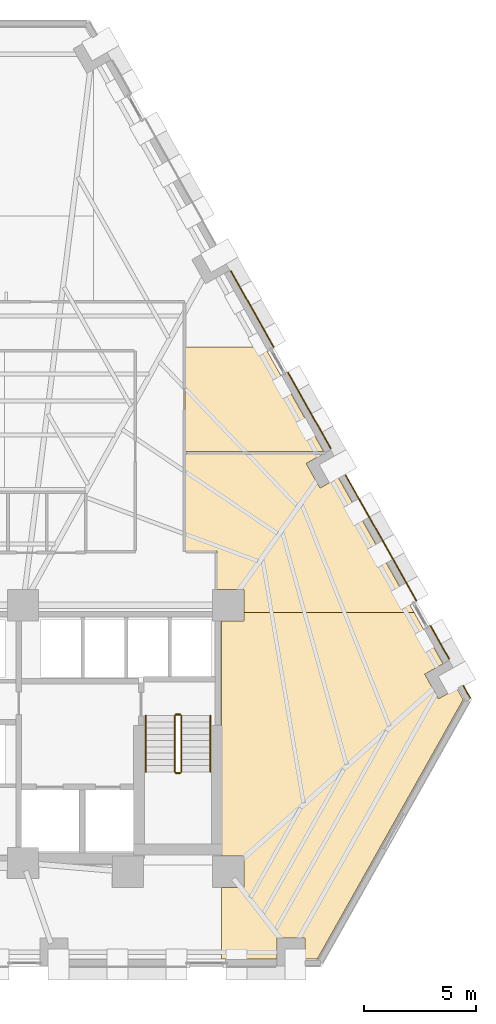
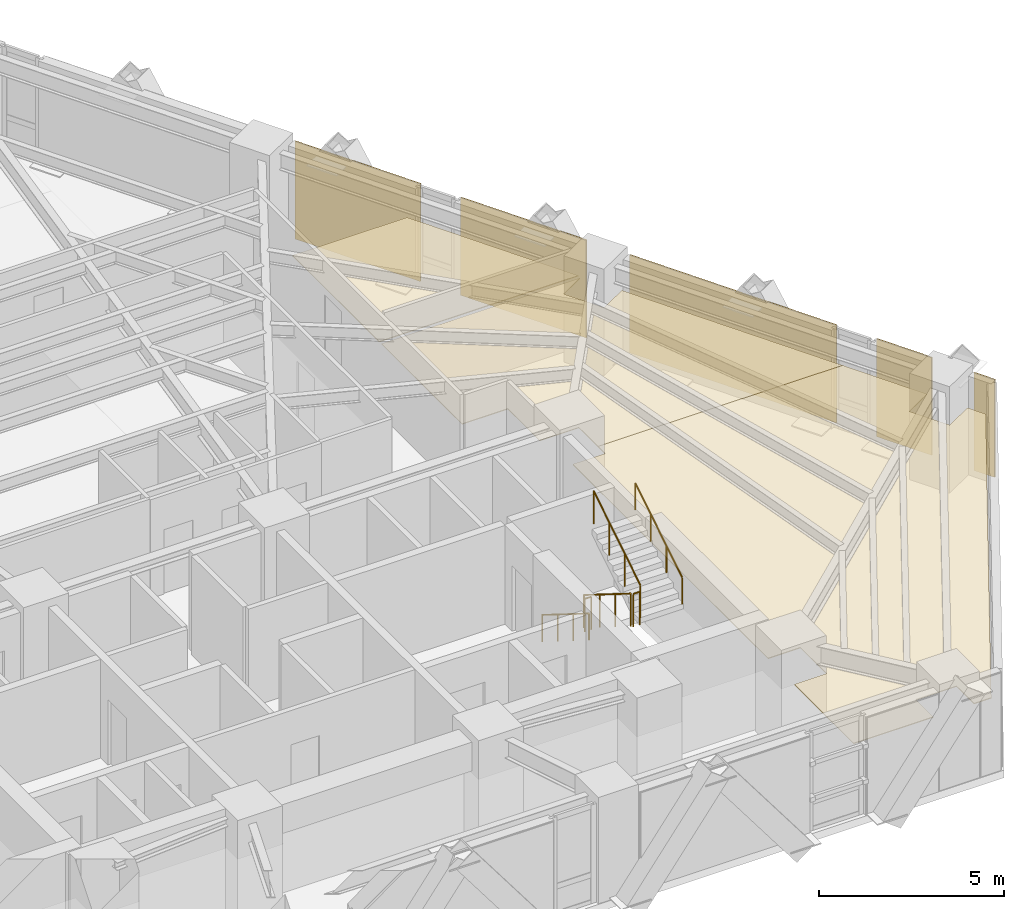
# One storey, part 12 of 13: 8 coverings, 6 railings.
"""IFC4 building model written with IfcOpenShell, lengths in metres."""

from ifc_helpers import new_model, si_unit, direction, frame, origin, origin_2d, place, context, subcontext, project, spatial, polyline, circle, outline, extrude, material, layer, layer_set, type_object, element, save


model = new_model("IFC4")

# Units and contexts
model_context = context("Model", 3, precision=1e-05, world=origin(), true_north=direction((0.0, 1.0)))
body_context = subcontext(model_context, "Body", "Model", "MODEL_VIEW")
ifc_project = project(units=[si_unit("LENGTHUNIT", "METRE"), si_unit("AREAUNIT", "SQUARE_METRE"), si_unit("VOLUMEUNIT", "CUBIC_METRE"), si_unit("PLANEANGLEUNIT", "RADIAN"), si_unit("MASSUNIT", "GRAM", prefix="KILO")], contexts=[model_context])

# Site, building, storey
site_placement = place(None, origin())
site = spatial("IfcSite", under=ifc_project, at=site_placement, CompositionType="ELEMENT")
building_placement = place(site_placement, origin())
building = spatial("IfcBuilding", under=site, at=building_placement, Name="Quenlor Broadcast Tower", CompositionType="ELEMENT")
storey_placement = place(building_placement, frame((0.0, 0.0, 55.60009765625)))
storey = spatial("IfcBuildingStorey", under=building, at=storey_placement, Name="L14", CompositionType="ELEMENT", Elevation=55.60009765625)

# Coverings
ifc_material_1 = material(Name="Acoustic Mineral Fibre Board", Category="other")
ifc_layer_1 = layer(ifc_material_1, 0.02490234375)
ifc_layer_set_1 = layer_set([ifc_layer_1], Name="Acoustic Perforated Mineral Tile Ceiling 25")
covering_type_1 = type_object("IfcCoveringType", Name="Acoustic Perforated Mineral Tile Ceiling 25", PredefinedType="CEILING", material=ifc_layer_set_1)
covering_1_placement = place(storey_placement, frame((0.0, 0.0, 2.224853515625)))
element("IfcCovering", 1, at=covering_1_placement, inside=storey, type_object=covering_type_1, Name="L14 Acoustic Ceiling L14-33", PredefinedType="CEILING", context=body_context, shape_type="SweptSolid", body=[
    extrude(outline(polyline([(14.583740234375, 6.780029296875), (17.21630859375, 2.10009765625), (11.014892578125, 2.10009765625), (11.014892578125, 6.780029296875), (14.583740234375, 6.780029296875)])), origin(), (0.0, 0.0, 1.0), 0.025146484375),
])
covering_2_placement = place(storey_placement, frame((0.0, 0.0, 2.224853515625)))
element("IfcCovering", 2, at=covering_2_placement, inside=storey, type_object=covering_type_1, Name="L14 Acoustic Ceiling L14-37-2", PredefinedType="CEILING", context=body_context, shape_type="SweptSolid", body=[
    extrude(outline(polyline([(13.657958984375, -4.092041015625), (12.43994140625, -4.092041015625), (12.43994140625, -2.3701171875), (11.014892578125, -2.3701171875), (11.014892578125, 1.97998046875), (17.20068359375, 1.97998046875), (16.44189453125, 1.552978515625), (17.0625, 0.44970703125), (17.884521484375, 0.912109375), (21.27734375, -5.1201171875), (13.657958984375, -5.1201171875), (13.657958984375, -4.092041015625)])), origin(), (0.0, 0.0, 1.0), 0.025146484375),
])
covering_3_placement = place(storey_placement, frame((0.0, 0.0, 2.224853515625)))
element("IfcCovering", 3, at=covering_3_placement, inside=storey, type_object=covering_type_1, Name="L14 Acoustic Ceiling L14-37-4", PredefinedType="CEILING", context=body_context, shape_type="SweptSolid", body=[
    extrude(outline(polyline([(13.657958984375, -17.4580078125), (13.657958984375, -16.0419921875), (12.64990234375, -16.0419921875), (12.64990234375, -5.508056640625), (13.657958984375, -5.508056640625), (13.657958984375, -5.1201171875), (21.27734375, -5.1201171875), (22.575927734375, -7.428466796875), (21.754150390625, -7.890625), (22.374755859375, -8.994140625), (23.196533203125, -8.531982421875), (23.477783203125, -9.031982421875), (16.937255859375, -20.659912109375), (16.398193359375, -20.659912109375), (16.398193359375, -19.717041015625), (15.132080078125, -19.717041015625), (15.132080078125, -20.659912109375), (12.64990234375, -20.659912109375), (12.64990234375, -17.4580078125), (13.657958984375, -17.4580078125)])), origin(), (0.0, 0.0, 1.0), 0.025146484375),
])
ifc_material_2 = material(Name="Architectural Terracotta Ceramic", Category="masonry")
ifc_layer_2 = layer(ifc_material_2, 0.044921875)
ifc_layer_set_2 = layer_set([ifc_layer_2], Name="Fluted Terracotta Rainscreen Cladding Panel")
covering_type_2 = type_object("IfcCoveringType", Name="Fluted Terracotta Rainscreen Cladding Panel", PredefinedType="CLADDING", material=ifc_layer_set_2)
covering_4_placement = place(storey_placement, frame((0.0, 0.0, 0.02001953125)))
element("IfcCovering", 4, at=covering_4_placement, inside=storey, type_object=covering_type_2, Name="L14 Terracotta Rainscreen Cladding L14-SHD-NES1", PredefinedType="CLADDING", context=body_context, shape_type="SweptSolid", body=[
    extrude(outline(polyline([(23.464111328125, -8.412109375), (23.781982421875, -8.97705078125), (23.8212890625, -8.955078125), (23.50341796875, -8.39013671875), (23.464111328125, -8.412109375)])), origin(), (0.0, 0.0, 1.0), 3.2099609375),
])
covering_5_placement = place(storey_placement, frame((0.0, 0.0, 0.02001953125)))
element("IfcCovering", 5, at=covering_5_placement, inside=storey, type_object=covering_type_2, Name="L14 Terracotta Rainscreen Cladding L14-NEC-SP1", PredefinedType="CLADDING", context=body_context, shape_type="SweptSolid", body=[
    extrude(outline(polyline([(18.18798828125, 1.029052734375), (21.3671875, -4.622802734375), (21.406494140625, -4.6005859375), (18.227294921875, 1.051025390625), (18.18798828125, 1.029052734375)])), origin(), (0.0, 0.0, 1.0), 3.2099609375),
])
covering_6_placement = place(storey_placement, frame((0.0, 0.0, 0.02001953125)))
element("IfcCovering", 6, at=covering_6_placement, inside=storey, type_object=covering_type_2, Name="L14 Terracotta Rainscreen Cladding L14-NEC-SP2", PredefinedType="CLADDING", context=body_context, shape_type="SweptSolid", body=[
    extrude(outline(polyline([(21.988525390625, -5.727294921875), (22.83349609375, -7.2294921875), (22.872802734375, -7.20751953125), (22.027587890625, -5.705322265625), (21.988525390625, -5.727294921875)])), origin(), (0.0, 0.0, 1.0), 3.2099609375),
])
covering_7_placement = place(storey_placement, frame((0.0, 0.0, 0.02001953125)))
element("IfcCovering", 7, at=covering_7_placement, inside=storey, type_object=covering_type_2, Name="L14 Terracotta Rainscreen Cladding L14-NE-SP1", PredefinedType="CLADDING", context=body_context, shape_type="SweptSolid", body=[
    extrude(outline(polyline([(13.044921875, 10.172607421875), (14.9736328125, 6.74365234375), (15.0126953125, 6.765625), (13.083984375, 10.194580078125), (13.044921875, 10.172607421875)])), origin(), (0.0, 0.0, 1.0), 3.2099609375),
])
covering_8_placement = place(storey_placement, frame((0.0, 0.0, 0.02001953125)))
element("IfcCovering", 8, at=covering_8_placement, inside=storey, type_object=covering_type_2, Name="L14 Terracotta Rainscreen Cladding L14-NE-SP2", PredefinedType="CLADDING", context=body_context, shape_type="SweptSolid", body=[
    extrude(outline(polyline([(15.594970703125, 5.638916015625), (17.523681640625, 2.2099609375), (17.56298828125, 2.23193359375), (15.63427734375, 5.660888671875), (15.594970703125, 5.638916015625)])), origin(), (0.0, 0.0, 1.0), 3.2099609375),
])

# Railings
ifc_material_3 = material(Name="Anodised Aluminium", Category="aluminium")
railing_type_1 = type_object("IfcRailingType", Name="Stainless Aluminium Wall Handrail 900", PredefinedType="HANDRAIL", material=ifc_material_3)
railing_1_placement = place(storey_placement, frame((9.25, -9.75, 0.1748046875)))
element("IfcRailing", 9, at=railing_1_placement, inside=storey, type_object=railing_type_1, Name="L14 ST-2 stair handrail 1", PredefinedType="HANDRAIL", context=body_context, shape_type="SweptSolid", body=[
    extrude(circle(Radius=0.02392578125, at=origin_2d()), frame((0.0, 0.0, 0.8759765625), z_axis=(0.0, -0.847970611238, 0.530043245855), x_axis=(1.0, 0.0, 0.0)), (0.0, 0.0, 1.0), 2.971923828125),
    extrude(circle(Radius=0.02099609375, at=origin_2d()), origin(), (0.0, 0.0, 1.0), 0.851806640625),
    extrude(circle(Radius=0.02099609375, at=origin_2d()), frame((0.0, -0.840087890625, 0.525146484375)), (0.0, 0.0, 1.0), 0.851806640625),
    extrude(circle(Radius=0.02099609375, at=origin_2d()), frame((0.0, -1.679931640625, 1.050048828125)), (0.0, 0.0, 1.0), 0.851806640625),
    extrude(circle(Radius=0.02099609375, at=origin_2d()), frame((0.0, -2.52001953125, 1.5751953125)), (0.0, 0.0, 1.0), 0.851806640625),
])
railing_2_placement = place(storey_placement, frame((12.14990234375, -12.27001953125, 1.9248046875)))
element("IfcRailing", 10, at=railing_2_placement, inside=storey, type_object=railing_type_1, Name="L14 ST-2 stair handrail 2", PredefinedType="HANDRAIL", context=body_context, shape_type="SweptSolid", body=[
    extrude(circle(Radius=0.02392578125, at=origin_2d()), frame((0.0, 0.0, 0.8759765625), z_axis=(0.0, 0.847970611238, 0.530043245855), x_axis=(-1.0, 0.0, 0.0)), (0.0, 0.0, 1.0), 2.971923828125),
    extrude(circle(Radius=0.02099609375, at=origin_2d()), origin(), (0.0, 0.0, 1.0), 0.851806640625),
    extrude(circle(Radius=0.02099609375, at=origin_2d()), frame((0.0, 0.840087890625, 0.525146484375)), (0.0, 0.0, 1.0), 0.851806640625),
    extrude(circle(Radius=0.02099609375, at=origin_2d()), frame((0.0, 1.679931640625, 1.050048828125)), (0.0, 0.0, 1.0), 0.851806640625),
    extrude(circle(Radius=0.02099609375, at=origin_2d()), frame((0.0, 2.52001953125, 1.5751953125)), (0.0, 0.0, 1.0), 0.851806640625),
])
ifc_material_4 = material(Name="Steel S355", Category="steel")
railing_type_2 = type_object("IfcRailingType", Name="Tubular Steel S355 Stair Guardrail 1100", PredefinedType="BALUSTRADE", material=ifc_material_4)
railing_3_placement = place(storey_placement, frame((10.550048828125, -9.75, 0.1748046875)))
element("IfcRailing", 11, at=railing_3_placement, inside=storey, type_object=railing_type_2, Name="L14 ST-2 stair guard 1", PredefinedType="BALUSTRADE", context=body_context, shape_type="SweptSolid", body=[
    extrude(circle(Radius=0.02392578125, at=origin_2d()), frame((0.0, 0.0, 1.076171875), z_axis=(0.0, -0.847970611238, 0.530043245855), x_axis=(1.0, 0.0, 0.0)), (0.0, 0.0, 1.0), 2.971923828125),
    extrude(circle(Radius=0.02099609375, at=origin_2d()), origin(), (0.0, 0.0, 1.0), 1.052001953125),
    extrude(circle(Radius=0.02099609375, at=origin_2d()), frame((0.0, -0.840087890625, 0.525146484375)), (0.0, 0.0, 1.0), 1.052001953125),
    extrude(circle(Radius=0.02099609375, at=origin_2d()), frame((0.0, -1.679931640625, 1.050048828125)), (0.0, 0.0, 1.0), 1.052001953125),
    extrude(circle(Radius=0.02099609375, at=origin_2d()), frame((0.0, -2.52001953125, 1.5751953125)), (0.0, 0.0, 1.0), 1.052001953125),
])
railing_4_placement = place(storey_placement, frame((10.60009765625, -12.320068359375, 1.75)))
element("IfcRailing", 12, at=railing_4_placement, inside=storey, type_object=railing_type_2, Name="L14 ST-2 stair guard 2", PredefinedType="BALUSTRADE", context=body_context, shape_type="SweptSolid", body=[
    extrude(circle(Radius=0.02392578125, at=origin_2d()), frame((0.0, 0.0, 1.076171875), z_axis=(1.0, 0.0, 0.0), x_axis=(0.0, 1.0, 0.0)), (0.0, 0.0, 1.0), 0.199951171875),
    extrude(circle(Radius=0.02099609375, at=origin_2d()), origin(), (0.0, 0.0, 1.0), 1.052001953125),
    extrude(circle(Radius=0.02099609375, at=origin_2d()), frame((0.199951171875, 0.0, 0.0)), (0.0, 0.0, 1.0), 1.052001953125),
])
railing_5_placement = place(storey_placement, frame((10.85009765625, -12.27001953125, 1.9248046875)))
element("IfcRailing", 13, at=railing_5_placement, inside=storey, type_object=railing_type_2, Name="L14 ST-2 stair guard 3", PredefinedType="BALUSTRADE", context=body_context, shape_type="SweptSolid", body=[
    extrude(circle(Radius=0.02392578125, at=origin_2d()), frame((0.0, 0.0, 1.076171875), z_axis=(0.0, 0.847970611238, 0.530043245855), x_axis=(-1.0, 0.0, 0.0)), (0.0, 0.0, 1.0), 2.971923828125),
    extrude(circle(Radius=0.02099609375, at=origin_2d()), origin(), (0.0, 0.0, 1.0), 1.052001953125),
    extrude(circle(Radius=0.02099609375, at=origin_2d()), frame((0.0, 0.840087890625, 0.525146484375)), (0.0, 0.0, 1.0), 1.052001953125),
    extrude(circle(Radius=0.02099609375, at=origin_2d()), frame((0.0, 1.679931640625, 1.050048828125)), (0.0, 0.0, 1.0), 1.052001953125),
    extrude(circle(Radius=0.02099609375, at=origin_2d()), frame((0.0, 2.52001953125, 1.5751953125)), (0.0, 0.0, 1.0), 1.052001953125),
])
railing_6_placement = place(storey_placement, frame((10.60009765625, -9.699951171875, 0.0)))
element("IfcRailing", 14, at=railing_6_placement, inside=storey, type_object=railing_type_2, Name="L14 ST-2 stair guard 4", PredefinedType="BALUSTRADE", context=body_context, shape_type="SweptSolid", body=[
    extrude(circle(Radius=0.02392578125, at=origin_2d()), frame((0.0, 0.0, 1.076171875), z_axis=(1.0, 0.0, 0.0), x_axis=(0.0, 1.0, 0.0)), (0.0, 0.0, 1.0), 0.199951171875),
    extrude(circle(Radius=0.02099609375, at=origin_2d()), origin(), (0.0, 0.0, 1.0), 1.052001953125),
    extrude(circle(Radius=0.02099609375, at=origin_2d()), frame((0.199951171875, 0.0, 0.0)), (0.0, 0.0, 1.0), 1.052001953125),
])

save(model, "model.ifc")
